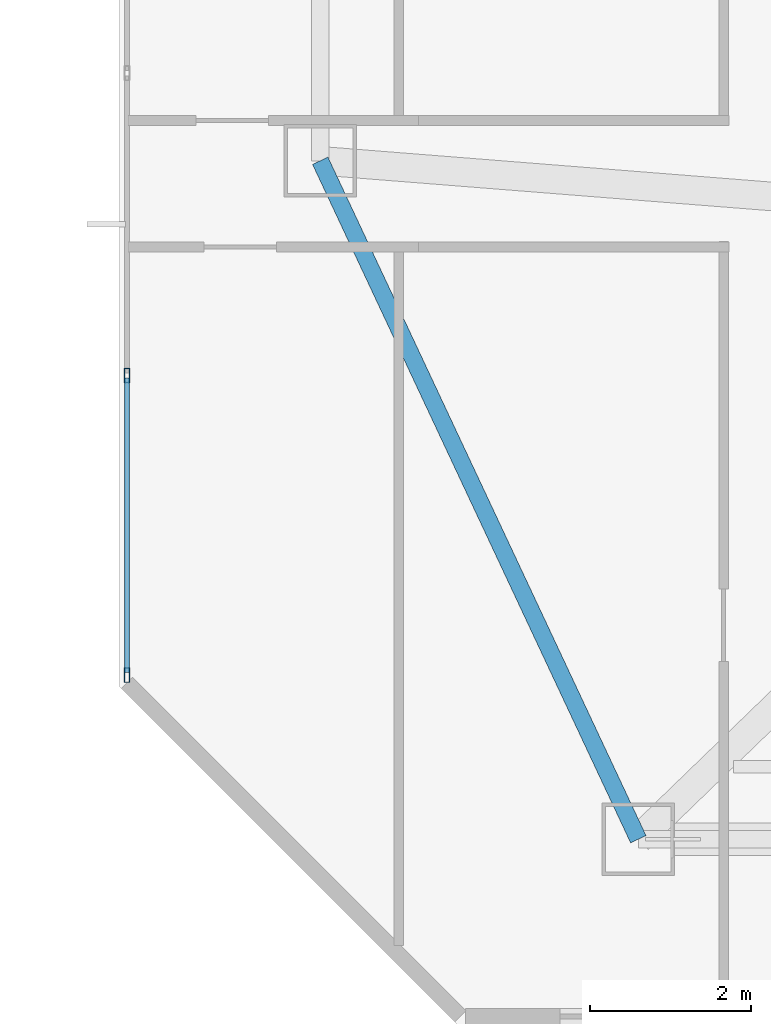
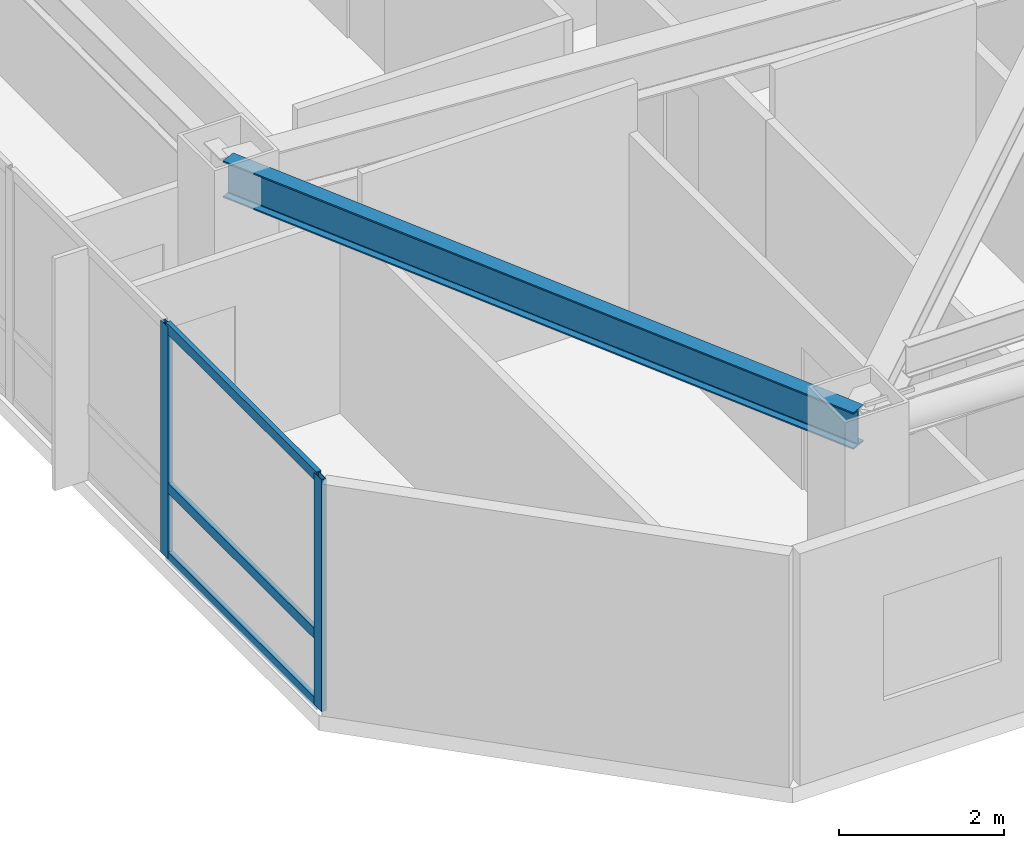
# One storey, part 2 of 17: 5 members, 1 beam, 1 element without a shape of its own.
"""IFC4 building model written with IfcOpenShell, lengths in metres."""

import ifcopenshell
import ifcopenshell.guid

model = None  # the IFC model being written
_history = None  # IfcOwnerHistory: only IFC2X3 demands one
_inside = {}  # id of a spatial element -> (the spatial element, [elements in it])
_under = {}  # id of a project, library or spatial element -> (it, [spatial elements below it])
_declared = {}  # id of a project -> (the project, [libraries it declares])
_typed = {}  # id of a type object -> (the type object, [elements of that type])
_made_of = {}  # id of a material, layer set ... -> (it, [elements and type objects made of it])


def new_model(schema):
    """Start an empty IFC model of exactly this schema.

    Asked for "IFC4X3", IfcOpenShell would pick the latest addendum, in which some entities
    have other attributes; the version numbers below select the first issue.
    IFC2X3 requires an IfcOwnerHistory on every rooted entity: one is made here for all.
    """
    global model, _history
    if schema == "IFC4X3":
        model = ifcopenshell.file(schema_version=(4, 3, 0, 0))
    else:
        model = ifcopenshell.file(schema=schema)
    _inside.clear()
    _under.clear()
    _declared.clear()
    _typed.clear()
    _made_of.clear()
    _history = None
    if model.schema == "IFC2X3":
        org = make("IfcOrganization", Name="unknown")
        user = make(
            "IfcPersonAndOrganization",
            ThePerson=make("IfcPerson", FamilyName="unknown"),
            TheOrganization=org,
        )
        app = make(
            "IfcApplication",
            ApplicationDeveloper=org,
            Version="unknown",
            ApplicationFullName="unknown",
            ApplicationIdentifier="unknown",
        )
        _history = make(
            "IfcOwnerHistory",
            OwningUser=user,
            OwningApplication=app,
            ChangeAction="ADDED",
            CreationDate=0,
        )
    return model


def make(cls, **values):
    """One entity of the class cls with the attributes given. An attribute that is None is left unset."""
    return model.create_entity(
        cls, **{name: value for name, value in values.items() if value is not None}
    )


def rooted(cls, **values):
    """An entity with a GlobalId (a new one), such as an element, a storey or a relation."""
    return make(cls, GlobalId=ifcopenshell.guid.new(), OwnerHistory=_history, **values)


def si_unit(unit_type, name, prefix=None):
    """IfcSIUnit, for example si_unit("LENGTHUNIT", "METRE", prefix="MILLI")."""
    return make("IfcSIUnit", UnitType=unit_type, Prefix=prefix, Name=name)


def assignment(units):
    """IfcUnitAssignment: the units of a project."""
    return None if units is None else make("IfcUnitAssignment", Units=units)


def point(xyz):
    """IfcCartesianPoint."""
    return None if xyz is None else make("IfcCartesianPoint", Coordinates=xyz)


def direction(xyz):
    """IfcDirection."""
    return None if xyz is None else make("IfcDirection", DirectionRatios=xyz)


def frame(location, z_axis=None, x_axis=None):
    """IfcAxis2Placement3D, a coordinate frame: its origin and axes. An axis left out is left unset."""
    return make(
        "IfcAxis2Placement3D",
        Location=point(location),
        Axis=direction(z_axis),
        RefDirection=direction(x_axis),
    )


def frame_2d(location, x_axis=None):
    """IfcAxis2Placement2D, a coordinate frame in the plane: its origin and x axis."""
    return make(
        "IfcAxis2Placement2D", Location=point(location), RefDirection=direction(x_axis)
    )


def origin():
    """The frame at (0, 0, 0) with its axes left unset."""
    return frame((0.0, 0.0, 0.0))


def origin_2d():
    """The frame at (0, 0) in the plane with its x axis left unset."""
    return frame_2d((0.0, 0.0))


def place(relative_to, where):
    """IfcLocalPlacement: puts the frame where relative to a parent placement (None: the world)."""
    return make(
        "IfcLocalPlacement", PlacementRelTo=relative_to, RelativePlacement=where
    )


def context(
    kind, dimensions, precision=None, world=None, true_north=None, identifier=None
):
    """IfcGeometricRepresentationContext, for example the 3D "Model" context."""
    return make(
        "IfcGeometricRepresentationContext",
        ContextIdentifier=identifier,
        ContextType=kind,
        CoordinateSpaceDimension=dimensions,
        Precision=precision,
        WorldCoordinateSystem=world,
        TrueNorth=true_north,
    )


def subcontext(parent, identifier, kind, view, scale=None):
    """IfcGeometricRepresentationSubContext, for example "Body" below "Model"."""
    return make(
        "IfcGeometricRepresentationSubContext",
        ContextIdentifier=identifier,
        ContextType=kind,
        ParentContext=parent,
        TargetScale=scale,
        TargetView=view,
    )


def project(units=None, contexts=None):
    """IfcProject with its units and contexts."""
    return rooted(
        "IfcProject",
        Name="project",
        RepresentationContexts=contexts,
        UnitsInContext=assignment(units),
    )


def spatial(cls, under=None, at=None, **own):
    """A site, building, storey or space (cls), placed at a placement, below another one or the project."""
    s = rooted(cls, ObjectPlacement=at, **own)
    if under is not None:
        _under.setdefault(under.id(), (under, []))[1].append(s)
    return s


def profile(cls, at=None, kind="AREA", **sizes):
    """A parametric profile (cls). Its sizes go by their IFC names, for example OverallWidth=200.0."""
    return make(cls, ProfileType=kind, Position=at, **sizes)


def hollow_rectangle(**sizes):
    """IfcRectangleHollowProfileDef."""
    return profile("IfcRectangleHollowProfileDef", **sizes)


def i_section(**sizes):
    """IfcIShapeProfileDef."""
    return profile("IfcIShapeProfileDef", **sizes)


def extrude(swept, where, along, depth):
    """IfcExtrudedAreaSolid: the profile swept, set in the frame where, extruded along a direction by depth."""
    return make(
        "IfcExtrudedAreaSolid",
        SweptArea=swept,
        Position=where,
        ExtrudedDirection=direction(along),
        Depth=depth,
    )


def shape(context_of_items, identifier, shape_type, items):
    """IfcShapeRepresentation: the items that make up one representation, for example the "Body"."""
    return make(
        "IfcShapeRepresentation",
        ContextOfItems=context_of_items,
        RepresentationIdentifier=identifier,
        RepresentationType=shape_type,
        Items=items,
    )


def material(Name=None, Category=None):
    """IfcMaterial."""
    return make("IfcMaterial", Name=Name, Category=Category)


def material_profile(
    of_material, cross_section, Name=None, Category=None, Priority=None
):
    """IfcMaterialProfile: a cross section and its material."""
    return make(
        "IfcMaterialProfile",
        Name=Name,
        Material=of_material,
        Profile=cross_section,
        Priority=Priority,
        Category=Category,
    )


def profile_set(profiles, Name=None, composite=None):
    """IfcMaterialProfileSet."""
    return make(
        "IfcMaterialProfileSet",
        Name=Name,
        MaterialProfiles=profiles,
        CompositeProfile=composite,
    )


def made_of(thing, what):
    """Note that an element or type object is made of a material, layer set ...; save() writes the relation."""
    if what is not None:
        _made_of.setdefault(what.id(), (what, []))[1].append(thing)
    return thing


def type_object(cls, material=None, **own):
    """A type object (cls), such as IfcWallType, which elements share."""
    return made_of(rooted(cls, **own), material)


def element(
    cls,
    number,
    at=None,
    inside=None,
    cuts=None,
    type_object=None,
    material=None,
    context=None,
    identifier="Body",
    shape_type=None,
    held_by="IfcProductDefinitionShape",
    body=None,
    shapes=None,
    **own,
):
    """One element of the class cls, such as IfcWall. Its Tag is "e" and its number.

    at: its placement. inside: the storey or other place that contains it. cuts: it is an
    opening in that element (IfcRelVoidsElement). A single representation is given by context,
    identifier, shape_type and body (its items); several are given by shapes. held_by: the class
    of the entity that holds the representations. save() writes the other relations.
    """
    e = rooted(cls, Tag="e%d" % number, ObjectPlacement=at, **own)
    if body is not None:
        shapes = [shape(context, identifier, shape_type, body)]
    if shapes is not None:
        e.Representation = make(held_by, Representations=shapes)
    if inside is not None:
        _inside.setdefault(inside.id(), (inside, []))[1].append(e)
    if cuts is not None:
        rooted(
            "IfcRelVoidsElement", RelatingBuildingElement=cuts, RelatedOpeningElement=e
        )
    if type_object is not None:
        _typed.setdefault(type_object.id(), (type_object, []))[1].append(e)
    return made_of(e, material)


def aggregate(whole, parts):
    """IfcRelAggregates: a whole, such as a stair, and the parts it consists of."""
    return rooted("IfcRelAggregates", RelatingObject=whole, RelatedObjects=parts)


def save(model, path):
    """Write the relations noted so far, then the file.

    IfcRelAggregates (storeys below a building ...), IfcRelContainedInSpatialStructure (elements
    in a storey), IfcRelDefinesByType, IfcRelAssociatesMaterial and IfcRelDeclares: one each for
    every whole, place, type object, material and project.
    """
    for whole, parts in _under.values():
        aggregate(whole, parts)
    for where, things in _inside.values():
        rooted(
            "IfcRelContainedInSpatialStructure",
            RelatedElements=things,
            RelatingStructure=where,
        )
    for kind, things in _typed.values():
        rooted("IfcRelDefinesByType", RelatedObjects=things, RelatingType=kind)
    for what, things in _made_of.values():
        rooted("IfcRelAssociatesMaterial", RelatedObjects=things, RelatingMaterial=what)
    for by, libraries in _declared.values():
        rooted("IfcRelDeclares", RelatingContext=by, RelatedDefinitions=libraries)
    model.write(path)


model = new_model("IFC4")

# Units and contexts
model_context = context("Model", 3, precision=1e-05, world=origin(), true_north=direction((0.0, 1.0)))
body_context = subcontext(model_context, "Body", "Model", "MODEL_VIEW")
ifc_project = project(units=[si_unit("LENGTHUNIT", "METRE"), si_unit("AREAUNIT", "SQUARE_METRE"), si_unit("VOLUMEUNIT", "CUBIC_METRE"), si_unit("PLANEANGLEUNIT", "RADIAN"), si_unit("MASSUNIT", "GRAM", prefix="KILO")], contexts=[model_context])

# Site, building, storey
site_placement = place(None, origin())
site = spatial("IfcSite", under=ifc_project, at=site_placement, CompositionType="ELEMENT")
building_placement = place(site_placement, origin())
building = spatial("IfcBuilding", under=site, at=building_placement, Name="Khamvora Tower", CompositionType="ELEMENT")
storey_placement = place(building_placement, frame((0.0, 0.0, 192.39990234375)))
storey = spatial("IfcBuildingStorey", under=building, at=storey_placement, Name="L49", CompositionType="ELEMENT", Elevation=192.39990234375)

# Beam
ifc_material_1 = material(Name="Steel S355", Category="steel")
ifc_material_profile_1 = material_profile(ifc_material_1, i_section(OverallWidth=0.2119140625, OverallDepth=0.5439453125, WebThickness=0.012939453125, FlangeThickness=0.02099609375, FilletRadius=0.013916015625, at=origin_2d()), Name="W530x123")
ifc_profile_set_1 = profile_set([ifc_material_profile_1], Name="Steel S355")
beam_type = type_object("IfcBeamType", Name="BM-SP-W530x123", PredefinedType="SPANDREL", material=ifc_profile_set_1)
beam_placement = place(storey_placement, frame((17.300048828125, 19.925048828125, 3.158203125), z_axis=(0.424496391454, -0.905429629315, 0.0), x_axis=(0.905429629315, 0.424496391454, 0.0)))
element("IfcBeam", 1, at=beam_placement, inside=storey, type_object=beam_type, Name="L49 perimeter spandrel beam W1-S1", PredefinedType="SPANDREL", context=body_context, shape_type="SweptSolid", body=[
    extrude(i_section(OverallWidth=0.2119140625, OverallDepth=0.5439453125, WebThickness=0.012939453125, FlangeThickness=0.02099609375, FilletRadius=0.013916015625, at=origin_2d()), origin(), (0.0, 0.0, 1.0), 9.304931640625),
])

# Curtain wall, members
ifc_material_2 = material(Name="Anodised Aluminium 6063-T6", Category="aluminium")
curtain_wall_type = type_object("IfcCurtainWallType", Name="CW-SYS-04", PredefinedType="NOTDEFINED", material=ifc_material_2)
curtain_wall_placement = place(storey_placement, origin())
curtain_wall = element("IfcCurtainWall", 2, at=curtain_wall_placement, inside=storey, type_object=curtain_wall_type, Name="L49 stick curtain wall 02.1", PredefinedType="NOTDEFINED")
ifc_material_profile_2 = material_profile(ifc_material_2, hollow_rectangle(XDim=0.06494140625, YDim=0.179931640625, WallThickness=0.0048828125, at=origin_2d()), Name="MUL65x180x5")
ifc_profile_set_2 = profile_set([ifc_material_profile_2], Name="Anodised Aluminium 6063-T6")
member_type_1 = type_object("IfcMemberType", Name="CW-SYS-04-MUL", PredefinedType="MULLION", material=ifc_profile_set_2)
member_1_placement = place(storey_placement, frame((14.89990234375, 13.53662109375, 0.0), z_axis=(0.0, 0.0, 1.0), x_axis=(-1.0, 0.0, 0.0)))
member_1 = element("IfcMember", 3, at=member_1_placement, type_object=member_type_1, Name="CW-04 mullion 1", PredefinedType="MULLION", context=body_context, shape_type="SweptSolid", body=[
    extrude(hollow_rectangle(XDim=0.06494140625, YDim=0.179931640625, WallThickness=0.0048828125, at=origin_2d()), origin(), (0.0, 0.0, 1.0), 3.43017578125),
])
member_2_placement = place(storey_placement, frame((14.89990234375, 17.25830078125, 0.0), z_axis=(0.0, 0.0, 1.0), x_axis=(-1.0, 0.0, 0.0)))
member_2 = element("IfcMember", 4, at=member_2_placement, type_object=member_type_1, Name="CW-04 mullion 2", PredefinedType="MULLION", context=body_context, shape_type="SweptSolid", body=[
    extrude(hollow_rectangle(XDim=0.06494140625, YDim=0.179931640625, WallThickness=0.0048828125, at=origin_2d()), origin(), (0.0, 0.0, 1.0), 3.43017578125),
])
ifc_material_profile_3 = material_profile(ifc_material_2, hollow_rectangle(XDim=0.06494140625, YDim=0.14990234375, WallThickness=0.0048828125, at=origin_2d()), Name="TRN65x150x5")
ifc_profile_set_3 = profile_set([ifc_material_profile_3], Name="Anodised Aluminium 6063-T6")
member_type_2 = type_object("IfcMemberType", Name="CW-SYS-04-TRN", PredefinedType="USERDEFINED", material=ifc_profile_set_3)
member_3_placement = place(storey_placement, frame((14.89990234375, 13.569091796875, 0.03271484375), z_axis=(0.0, 1.0, 0.0), x_axis=(-1.0, 0.0, 0.0)))
member_3 = element("IfcMember", 5, at=member_3_placement, type_object=member_type_2, Name="CW-04 transom 1.1", ObjectType="TRANSOM", PredefinedType="USERDEFINED", context=body_context, shape_type="SweptSolid", body=[
    extrude(hollow_rectangle(XDim=0.06494140625, YDim=0.14990234375, WallThickness=0.0048828125, at=origin_2d()), origin(), (0.0, 0.0, 1.0), 3.65673828125),
])
member_4_placement = place(storey_placement, frame((14.89990234375, 13.569091796875, 1.050048828125), z_axis=(0.0, 1.0, 0.0), x_axis=(-1.0, 0.0, 0.0)))
member_4 = element("IfcMember", 6, at=member_4_placement, type_object=member_type_2, Name="CW-04 transom 1.2", ObjectType="TRANSOM", PredefinedType="USERDEFINED", context=body_context, shape_type="SweptSolid", body=[
    extrude(hollow_rectangle(XDim=0.06494140625, YDim=0.14990234375, WallThickness=0.0048828125, at=origin_2d()), origin(), (0.0, 0.0, 1.0), 3.65673828125),
])
member_5_placement = place(storey_placement, frame((14.89990234375, 13.569091796875, 3.397705078125), z_axis=(0.0, 1.0, 0.0), x_axis=(-1.0, 0.0, 0.0)))
member_5 = element("IfcMember", 7, at=member_5_placement, type_object=member_type_2, Name="CW-04 transom 1.3", ObjectType="TRANSOM", PredefinedType="USERDEFINED", context=body_context, shape_type="SweptSolid", body=[
    extrude(hollow_rectangle(XDim=0.06494140625, YDim=0.14990234375, WallThickness=0.0048828125, at=origin_2d()), origin(), (0.0, 0.0, 1.0), 3.65673828125),
])
aggregate(curtain_wall, [member_1, member_2, member_3, member_4, member_5])

save(model, "model.ifc")
